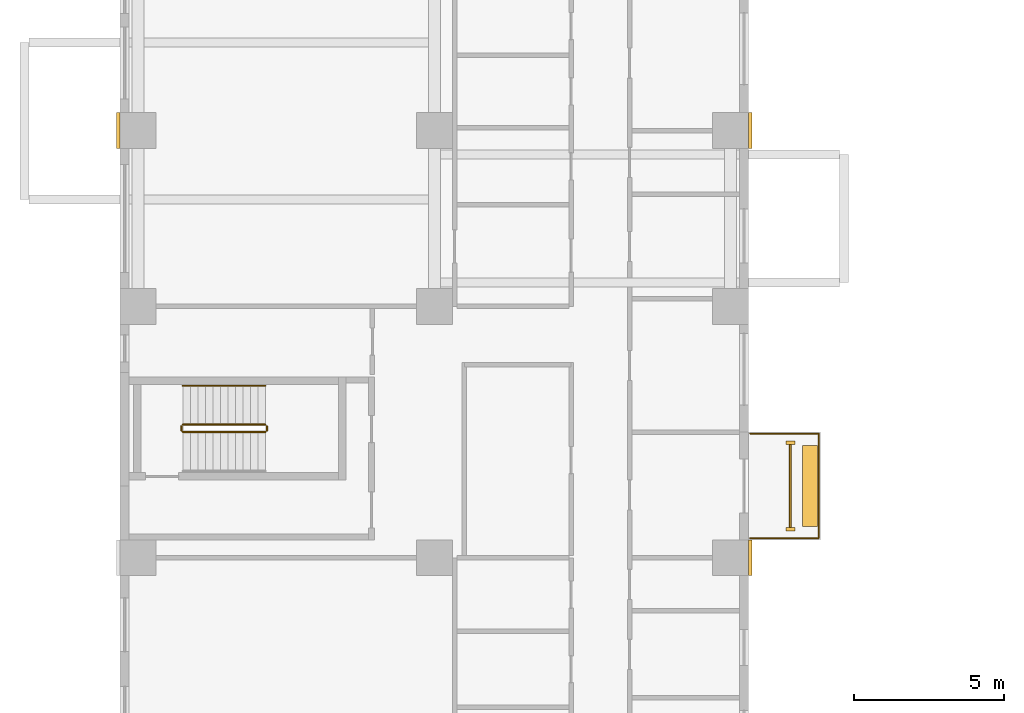
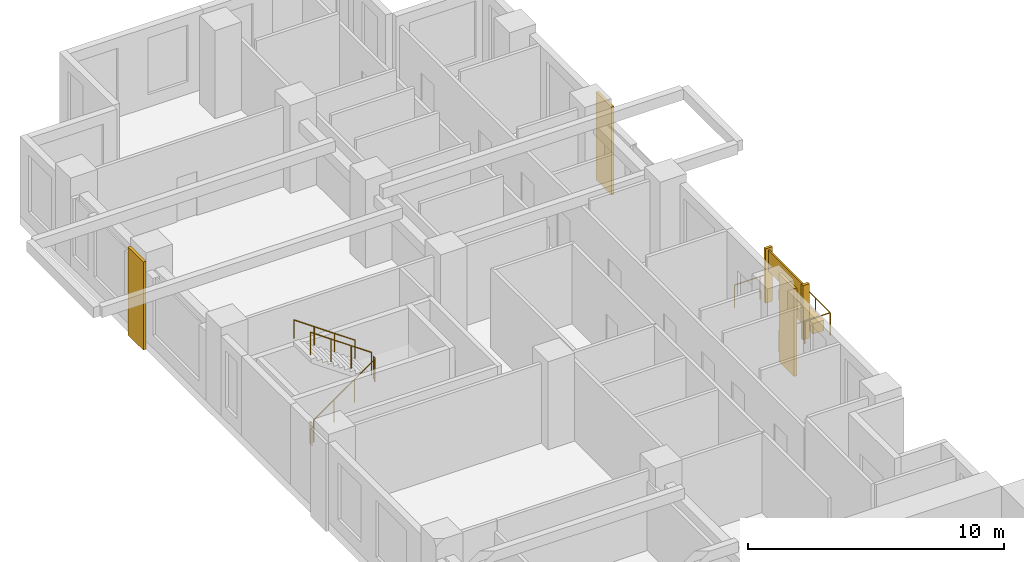
# One storey, part 13 of 14: 7 coverings, 6 railings.
"""IFC4 building model written with IfcOpenShell, lengths in metres."""

from ifc_helpers import new_model, si_unit, direction, frame, origin, origin_2d, place, context, subcontext, project, spatial, rectangle, circle, extrude, source, transform, mapped, material, type_object, element, save


model = new_model("IFC4")

# Units and contexts
model_context = context("Model", 3, precision=1e-05, world=origin(), true_north=direction((0.0, 1.0)))
body_context = subcontext(model_context, "Body", "Model", "MODEL_VIEW")
ifc_project = project(units=[si_unit("LENGTHUNIT", "METRE"), si_unit("AREAUNIT", "SQUARE_METRE"), si_unit("VOLUMEUNIT", "CUBIC_METRE"), si_unit("PLANEANGLEUNIT", "RADIAN"), si_unit("MASSUNIT", "GRAM", prefix="KILO")], contexts=[model_context])

# Site, building, storey
site_placement = place(None, origin())
site = spatial("IfcSite", under=ifc_project, at=site_placement, CompositionType="ELEMENT")
building_placement = place(site_placement, origin())
building = spatial("IfcBuilding", under=site, at=building_placement, Name="Aurelian Terraces", CompositionType="ELEMENT")
storey_placement = place(building_placement, frame((0.0, 0.0, 40.5)))
storey = spatial("IfcBuildingStorey", under=building, at=storey_placement, Name="L07", CompositionType="ELEMENT", Elevation=40.5)

# Railing
ifc_material_1 = material(Name="Anodised aluminium", Category="aluminium")
railing_type_1 = type_object("IfcRailingType", Name="GUARD-1100", PredefinedType="GUARDRAIL", material=ifc_material_1)
railing_1_placement = place(storey_placement, frame((21.05, 38.45, 0.0)))
element("IfcRailing", 1, at=railing_1_placement, inside=storey, type_object=railing_type_1, Name="Balcony guard L07 F08.31", PredefinedType="GUARDRAIL", context=body_context, shape_type="SweptSolid", body=[
    extrude(circle(Radius=0.024, at=origin_2d()), frame((0.0, 0.0, 1.076), z_axis=(1.0, 0.0, 0.0), x_axis=(0.0, 1.0, 0.0)), (0.0, 0.0, 1.0), 2.3),
    extrude(circle(Radius=0.024, at=origin_2d()), frame((2.3, 0.0, 1.076), z_axis=(0.0, 1.0, 0.0), x_axis=(-1.0, 0.0, 0.0)), (0.0, 0.0, 1.0), 3.5),
    extrude(circle(Radius=0.024, at=origin_2d()), frame((2.3, 3.5, 1.076), z_axis=(-1.0, 0.0, 0.0), x_axis=(0.0, -1.0, 0.0)), (0.0, 0.0, 1.0), 2.3),
    extrude(circle(Radius=0.021, at=origin_2d()), origin(), (0.0, 0.0, 1.0), 1.052),
    extrude(circle(Radius=0.021, at=origin_2d()), frame((1.15, 0.0, 0.0)), (0.0, 0.0, 1.0), 1.052),
    extrude(circle(Radius=0.021, at=origin_2d()), frame((2.3, 0.0, 0.0)), (0.0, 0.0, 1.0), 1.052),
    extrude(circle(Radius=0.021, at=origin_2d()), frame((2.3, 1.1667, 0.0)), (0.0, 0.0, 1.0), 1.052),
    extrude(circle(Radius=0.021, at=origin_2d()), frame((2.3, 2.3333, 0.0)), (0.0, 0.0, 1.0), 1.052),
    extrude(circle(Radius=0.021, at=origin_2d()), frame((2.3, 3.5, 0.0)), (0.0, 0.0, 1.0), 1.052),
    extrude(circle(Radius=0.021, at=origin_2d()), frame((1.15, 3.5, 0.0)), (0.0, 0.0, 1.0), 1.052),
    extrude(circle(Radius=0.021, at=origin_2d()), frame((0.0, 3.5, 0.0)), (0.0, 0.0, 1.0), 1.052),
])

# Coverings
ifc_material_2 = material(Name="Terracotta planter with planting soil", Category="masonry")
covering_type_1 = type_object("IfcCoveringType", Name="PLANTER-TROUGH", PredefinedType="USERDEFINED", material=ifc_material_2)
covering_1_placement = place(storey_placement, frame((23.05, 40.2, 0.0), z_axis=(0.0, 0.0, 1.0), x_axis=(1.0, 0.0, 0.0)))
element("IfcCovering", 2, at=covering_1_placement, inside=storey, type_object=covering_type_1, Name="PLANTER L07 L07-F08-31", ObjectType="PLANTER", PredefinedType="USERDEFINED", context=body_context, shape_type="SweptSolid", body=[
    extrude(rectangle(XDim=0.5, YDim=2.7, at=origin_2d()), origin(), (0.0, 0.0, 1.0), 0.5),
])
ifc_material_3 = material(Name="Terracotta rainscreen cladding", Category="masonry")
covering_type_2 = type_object("IfcCoveringType", Name="SCREEN-TC", PredefinedType="CLADDING", material=ifc_material_3)
covering_2_placement = place(storey_placement, frame((22.4, 40.2, 1.5), z_axis=(0.0, 0.0, 1.0), x_axis=(1.0, 0.0, 0.0)))
element("IfcCovering", 3, at=covering_2_placement, inside=storey, type_object=covering_type_2, Name="SCREEN L07 L07-F08-31", PredefinedType="CLADDING", context=body_context, shape_type="SweptSolid", body=[
    extrude(rectangle(XDim=0.06, YDim=2.78, at=origin_2d()), origin(), (0.0, 0.0, 1.0), 1.0),
])

# Railings
ifc_material_4 = material(Name="Stainless steel", Category="steel")
railing_type_2 = type_object("IfcRailingType", Name="Stair guard 1100", PredefinedType="GUARDRAIL", material=ifc_material_4)
railing_2_placement = place(storey_placement, frame((2.1, 42.0, 0.175)))
element("IfcRailing", 4, at=railing_2_placement, inside=storey, type_object=railing_type_2, Name="L07 S3 stair guard 1", PredefinedType="GUARDRAIL", context=body_context, shape_type="SweptSolid", body=[
    extrude(circle(Radius=0.024, at=origin_2d()), frame((0.0, 0.0, 1.076), z_axis=(0.819231920519, 0.0, 0.573462344363), x_axis=(0.0, 1.0, 0.0)), (0.0, 0.0, 1.0), 3.3568),
    extrude(circle(Radius=0.021, at=origin_2d()), origin(), (0.0, 0.0, 1.0), 1.052),
    extrude(circle(Radius=0.021, at=origin_2d()), frame((0.9167, 0.0, 0.6417)), (0.0, 0.0, 1.0), 1.052),
    extrude(circle(Radius=0.021, at=origin_2d()), frame((1.8333, 0.0, 1.2833)), (0.0, 0.0, 1.0), 1.052),
    extrude(circle(Radius=0.021, at=origin_2d()), frame((2.75, 0.0, 1.925)), (0.0, 0.0, 1.0), 1.052),
])
railing_3_placement = place(storey_placement, frame((4.85, 42.25, 2.275)))
element("IfcRailing", 5, at=railing_3_placement, inside=storey, type_object=railing_type_2, Name="L07 S3 stair guard 3", PredefinedType="GUARDRAIL", context=body_context, shape_type="SweptSolid", body=[
    extrude(circle(Radius=0.024, at=origin_2d()), frame((0.0, 0.0, 1.076), z_axis=(-0.819231920519, 0.0, 0.573462344363), x_axis=(0.0, -1.0, 0.0)), (0.0, 0.0, 1.0), 3.3568),
    extrude(circle(Radius=0.021, at=origin_2d()), origin(), (0.0, 0.0, 1.0), 1.052),
    extrude(circle(Radius=0.021, at=origin_2d()), frame((-0.9167, 0.0, 0.6417)), (0.0, 0.0, 1.0), 1.052),
    extrude(circle(Radius=0.021, at=origin_2d()), frame((-1.8333, 0.0, 1.2833)), (0.0, 0.0, 1.0), 1.052),
    extrude(circle(Radius=0.021, at=origin_2d()), frame((-2.75, 0.0, 1.925)), (0.0, 0.0, 1.0), 1.052),
])
railing_type_3 = type_object("IfcRailingType", Name="Stair handrail", PredefinedType="HANDRAIL", material=ifc_material_4)
railing_4_placement = place(storey_placement, frame((4.85, 43.55, 2.275)))
element("IfcRailing", 6, at=railing_4_placement, inside=storey, type_object=railing_type_3, Name="L07 S3 stair handrail 2", PredefinedType="HANDRAIL", context=body_context, shape_type="SweptSolid", body=[
    extrude(circle(Radius=0.024, at=origin_2d()), frame((0.0, 0.0, 0.876), z_axis=(-0.819231920519, 0.0, 0.573462344363), x_axis=(0.0, -1.0, 0.0)), (0.0, 0.0, 1.0), 3.3568),
    extrude(circle(Radius=0.021, at=origin_2d()), origin(), (0.0, 0.0, 1.0), 0.852),
    extrude(circle(Radius=0.021, at=origin_2d()), frame((-0.9167, 0.0, 0.6417)), (0.0, 0.0, 1.0), 0.852),
    extrude(circle(Radius=0.021, at=origin_2d()), frame((-1.8333, 0.0, 1.2833)), (0.0, 0.0, 1.0), 0.852),
    extrude(circle(Radius=0.021, at=origin_2d()), frame((-2.75, 0.0, 1.925)), (0.0, 0.0, 1.0), 0.852),
])

# Coverings
ifc_material_5 = material(Name="Terracotta rainscreen cladding relief", Category="masonry")
covering_type_3 = type_object("IfcCoveringType", Name="FIN-TC", PredefinedType="CLADDING", material=ifc_material_5)
shared_shape_1 = source(origin(), body_context, "Body", "SweptSolid", [
    extrude(rectangle(XDim=0.3, YDim=0.12, at=origin_2d()), origin(), (0.0, 0.0, 1.0), 2.6),
])
for number, where, z_axis, x_axis, name in (
    (7, (22.4, 38.75, 0.0), (0.0, 0.0, 1.0), (1.0, 0.0, 0.0), "FIN L07 L07-F08-31.1"),
    (8, (22.4, 41.65, 0.0), (0.0, 0.0, 1.0), (1.0, 0.0, 0.0), "FIN L07 L07-F08-31.2"),
):
    element("IfcCovering", number, at=place(storey_placement, frame(where, z_axis=z_axis, x_axis=x_axis)), inside=storey, type_object=covering_type_3, Name=name, PredefinedType="CLADDING", context=body_context, shape_type="MappedRepresentation", body=[
        mapped(shared_shape_1, transform((0.0, 0.0, 0.0), scale=1.0)),
    ])
covering_type_4 = type_object("IfcCoveringType", Name="BAGUETTE-TC", PredefinedType="CLADDING", material=ifc_material_5)
shared_shape_2 = source(origin(), body_context, "Body", "SweptSolid", [
    extrude(rectangle(XDim=0.12, YDim=1.2, at=origin_2d()), origin(), (0.0, 0.0, 1.0), 4.2),
])
for number, where, z_axis, x_axis, name in (
    (9, (21.06, 37.8, -0.4), (0.0, 0.0, 1.0), (1.0, 0.0, 0.0), "BAGUETTE pier L07 11"),
    (10, (-0.06, 52.08, -0.4), (0.0, 0.0, 1.0), (1.0, 0.0, 0.0), "BAGUETTE pier L07 12"),
    (11, (21.06, 52.08, -0.4), (0.0, 0.0, 1.0), (1.0, 0.0, 0.0), "BAGUETTE pier L07 13"),
):
    element("IfcCovering", number, at=place(storey_placement, frame(where, z_axis=z_axis, x_axis=x_axis)), inside=storey, type_object=covering_type_4, Name=name, PredefinedType="CLADDING", context=body_context, shape_type="MappedRepresentation", body=[
        mapped(shared_shape_2, transform((0.0, 0.0, 0.0), scale=1.0)),
    ])

# Railings
shared_shape_3 = source(origin(), body_context, "Body", "SweptSolid", [
    extrude(circle(Radius=0.024, at=origin_2d()), frame((0.0, 0.0, 1.076), z_axis=(0.0, 1.0, 0.0), x_axis=(-1.0, 0.0, 0.0)), (0.0, 0.0, 1.0), 0.15),
    extrude(circle(Radius=0.021, at=origin_2d()), origin(), (0.0, 0.0, 1.0), 1.052),
    extrude(circle(Radius=0.021, at=origin_2d()), frame((0.0, 0.15, 0.0)), (0.0, 0.0, 1.0), 1.052),
])
for number, where, name in (
    (12, (4.9, 42.05, 2.1), "L07 S3 stair guard 2"),
    (13, (2.05, 42.05, 0.0), "L07 S3 stair guard 4"),
):
    element("IfcRailing", number, at=place(storey_placement, frame(where)), inside=storey, type_object=railing_type_2, Name=name, PredefinedType="GUARDRAIL", context=body_context, shape_type="MappedRepresentation", body=[
        mapped(shared_shape_3, transform((0.0, 0.0, 0.0), scale=1.0)),
    ])

save(model, "model.ifc")
